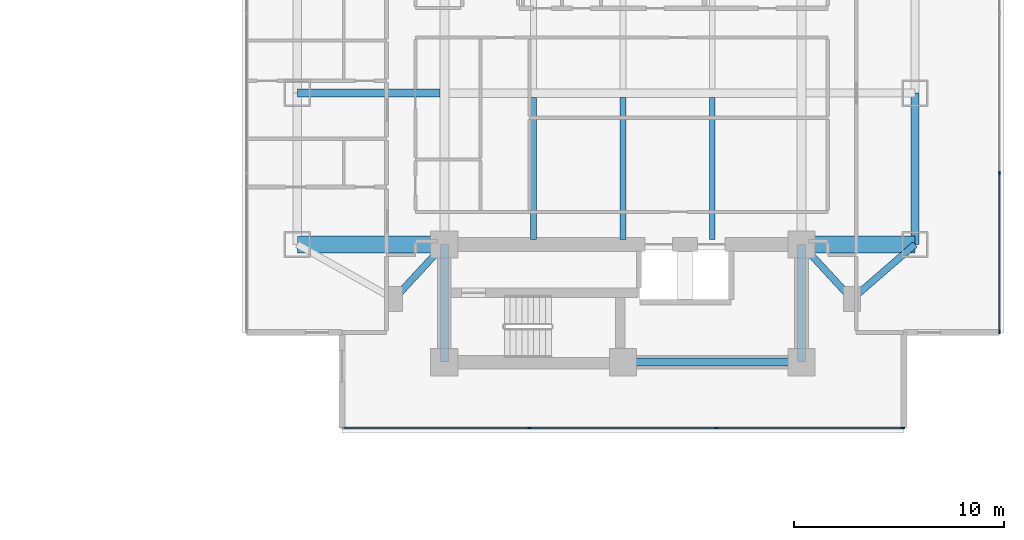
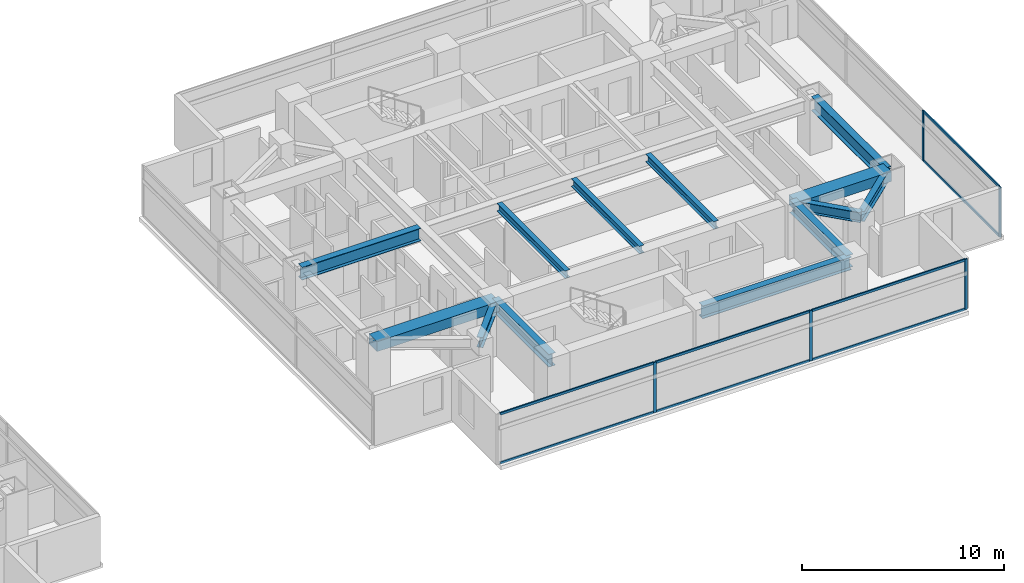
# One storey, part 9 of 25: 13 beams, 13 members, 2 elements without a shape of their own.
"""IFC4 building model written with IfcOpenShell, lengths in metres."""

from ifc_helpers import new_model, si_unit, direction, frame, origin, origin_2d, place, context, subcontext, project, spatial, rectangle, i_section, extrude, material, material_profile, profile_set, type_object, element, aggregate, save


model = new_model("IFC4")

# Units and contexts
model_context = context("Model", 3, precision=1e-05, world=origin(), true_north=direction((0.0, 1.0)))
body_context = subcontext(model_context, "Body", "Model", "MODEL_VIEW")
ifc_project = project(units=[si_unit("LENGTHUNIT", "METRE"), si_unit("AREAUNIT", "SQUARE_METRE"), si_unit("VOLUMEUNIT", "CUBIC_METRE"), si_unit("PLANEANGLEUNIT", "RADIAN"), si_unit("MASSUNIT", "GRAM", prefix="KILO")], contexts=[model_context])

# Site, building, storey
site_placement = place(None, origin())
site = spatial("IfcSite", under=ifc_project, at=site_placement, CompositionType="ELEMENT")
building_placement = place(site_placement, origin())
building = spatial("IfcBuilding", under=site, at=building_placement, Name="Mirazonda Arch Towers", CompositionType="ELEMENT")
storey_placement = place(building_placement, frame((0.0, 0.0, 58.699951171875)))
storey = spatial("IfcBuildingStorey", under=building, at=storey_placement, Name="L16", CompositionType="ELEMENT", Elevation=58.699951171875)

# Beams
ifc_material_1 = material(Name="Steel ASTM A992 Grade 50", Category="steel")
ifc_material_profile_1 = material_profile(ifc_material_1, i_section(OverallWidth=0.39990234375, OverallDepth=0.85595703125, WebThickness=0.018310546875, FlangeThickness=0.029296875, at=origin_2d()), Name="W33X201")
ifc_profile_set_1 = profile_set([ifc_material_profile_1], Name="Steel ASTM A992 Grade 50")
beam_type_1 = type_object("IfcBeamType", Name="BM-EXT-W33X201", PredefinedType="USERDEFINED", material=ifc_profile_set_1)
beam_1_placement = place(storey_placement, frame((90.39990234375, 20.800048828125, 2.632080078125), z_axis=(0.0, 1.0, 0.0), x_axis=(-1.0, 0.0, 0.0)))
element("IfcBeam", 1, at=beam_1_placement, inside=storey, type_object=beam_type_1, Name="L16 Floor Beam BM-T2-L16-NS-E-20", ObjectType="GIRDER", PredefinedType="USERDEFINED", context=body_context, shape_type="SweptSolid", body=[
    extrude(i_section(OverallWidth=0.39990234375, OverallDepth=0.85595703125, WebThickness=0.018310546875, FlangeThickness=0.029296875, at=origin_2d()), origin(), (0.0, 0.0, 1.0), 7.199951171875),
])
ifc_material_profile_2 = material_profile(ifc_material_1, i_section(OverallWidth=0.280029296875, OverallDepth=0.462890625, WebThickness=0.0107421875, FlangeThickness=0.017333984375, at=origin_2d()), Name="W18X76")
ifc_profile_set_2 = profile_set([ifc_material_profile_2], Name="Steel ASTM A992 Grade 50")
beam_type_2 = type_object("IfcBeamType", Name="BM-INT-W18X76", PredefinedType="JOIST", material=ifc_profile_set_2)
for number, where, z_axis, x_axis, name in (
    (2, (72.25, 21.0400390625, 2.82861328125), (0.0, 1.0, 0.0), (-1.0, 0.0, 0.0), "L16 Floor Beam BM-T2-L16-J-722-20"),
    (3, (76.5, 21.0400390625, 2.82861328125), (0.0, 1.0, 0.0), (-1.0, 0.0, 0.0), "L16 Floor Beam BM-T2-L16-J-765-20"),
    (4, (80.75, 21.0400390625, 2.82861328125), (0.0, 1.0, 0.0), (-1.0, 0.0, 0.0), "L16 Floor Beam BM-T2-L16-J-807-20"),
):
    element("IfcBeam", number, at=place(storey_placement, frame(where, z_axis=z_axis, x_axis=x_axis)), inside=storey, type_object=beam_type_2, Name=name, PredefinedType="JOIST", context=body_context, shape_type="SweptSolid", body=[
        extrude(i_section(OverallWidth=0.280029296875, OverallDepth=0.462890625, WebThickness=0.0107421875, FlangeThickness=0.017333984375, at=origin_2d()), origin(), (0.0, 0.0, 1.0), 6.7548828125),
    ])
ifc_material_profile_3 = material_profile(ifc_material_1, i_section(OverallWidth=0.324951171875, OverallDepth=0.615966796875, WebThickness=0.013916015625, FlangeThickness=0.021484375, at=origin_2d()), Name="W24X117")
ifc_profile_set_3 = profile_set([ifc_material_profile_3], Name="Steel ASTM A992 Grade 50")
beam_type_3 = type_object("IfcBeamType", Name="BM-INT-W24X117", PredefinedType="BEAM", material=ifc_profile_set_3)
for number, where, z_axis, x_axis, name in (
    (5, (65.60009765625, 18.199951171875, 2.751953125), (0.678251444854, 0.734829897019, 0.0), (-0.734829897019, 0.678251444854, 0.0), "L16 Floor Beam BM-T2-L16-PL-SW1"),
    (6, (87.39990234375, 18.199951171875, 2.751953125), (-0.678251444854, 0.734829897019, 0.0), (-0.734829897019, -0.678251444854, 0.0), "L16 Floor Beam BM-T2-L16-PL-SE1"),
):
    element("IfcBeam", number, at=place(storey_placement, frame(where, z_axis=z_axis, x_axis=x_axis)), inside=storey, type_object=beam_type_3, Name=name, PredefinedType="BEAM", context=body_context, shape_type="SweptSolid", body=[
        extrude(i_section(OverallWidth=0.324951171875, OverallDepth=0.615966796875, WebThickness=0.013916015625, FlangeThickness=0.021484375, at=origin_2d()), origin(), (0.0, 0.0, 1.0), 3.538330078125),
    ])
beam_2_placement = place(storey_placement, frame((87.39990234375, 18.199951171875, 2.751953125), z_axis=(0.755676908098, 0.654944585876, 0.0), x_axis=(-0.654944585876, 0.755676908098, 0.0)))
element("IfcBeam", 7, at=beam_2_placement, inside=storey, type_object=beam_type_3, Name="L16 Floor Beam BM-T2-L16-PL-SE2", PredefinedType="BEAM", context=body_context, shape_type="SweptSolid", body=[
    extrude(i_section(OverallWidth=0.324951171875, OverallDepth=0.615966796875, WebThickness=0.013916015625, FlangeThickness=0.021484375, at=origin_2d()), origin(), (0.0, 0.0, 1.0), 3.969970703125),
])
ifc_material_profile_4 = material_profile(ifc_material_1, i_section(OverallWidth=0.381103515625, OverallDepth=0.77294921875, WebThickness=0.0166015625, FlangeThickness=0.027099609375, at=origin_2d()), Name="W30X173")
ifc_profile_set_4 = profile_set([ifc_material_profile_4], Name="Steel ASTM A992 Grade 50")
beam_type_4 = type_object("IfcBeamType", Name="BM-INT-W30X173", PredefinedType="USERDEFINED", material=ifc_profile_set_4)
beam_3_placement = place(storey_placement, frame((76.5, 15.199951171875, 2.673583984375), z_axis=(1.0, 0.0, 0.0), x_axis=(0.0, 1.0, 0.0)))
element("IfcBeam", 8, at=beam_3_placement, inside=storey, type_object=beam_type_4, Name="L16 Floor Beam BM-T2-L16-CS2", ObjectType="GIRDER", PredefinedType="USERDEFINED", context=body_context, shape_type="SweptSolid", body=[
    extrude(i_section(OverallWidth=0.381103515625, OverallDepth=0.77294921875, WebThickness=0.0166015625, FlangeThickness=0.027099609375, at=origin_2d()), origin(), (0.0, 0.0, 1.0), 8.5),
])
for number, where, z_axis, x_axis, name in (
    (9, (68.0, 15.199951171875, 2.673583984375), (0.0, 1.0, 0.0), (-1.0, 0.0, 0.0), "L16 Floor Beam BM-T2-L16-CSW"),
    (10, (85.0, 15.199951171875, 2.673583984375), (0.0, 1.0, 0.0), (-1.0, 0.0, 0.0), "L16 Floor Beam BM-T2-L16-CSE"),
):
    element("IfcBeam", number, at=place(storey_placement, frame(where, z_axis=z_axis, x_axis=x_axis)), inside=storey, type_object=beam_type_4, Name=name, ObjectType="GIRDER", PredefinedType="USERDEFINED", context=body_context, shape_type="SweptSolid", body=[
        extrude(i_section(OverallWidth=0.381103515625, OverallDepth=0.77294921875, WebThickness=0.0166015625, FlangeThickness=0.027099609375, at=origin_2d()), origin(), (0.0, 0.0, 1.0), 5.60009765625),
    ])
beam_4_placement = place(storey_placement, frame((61.0, 28.0, 2.673583984375), z_axis=(1.0, 0.0, 0.0), x_axis=(0.0, 1.0, 0.0)))
element("IfcBeam", 11, at=beam_4_placement, inside=storey, type_object=beam_type_4, Name="L16 Floor Beam BM-T2-L16-GW2", ObjectType="GIRDER", PredefinedType="USERDEFINED", context=body_context, shape_type="SweptSolid", body=[
    extrude(i_section(OverallWidth=0.381103515625, OverallDepth=0.77294921875, WebThickness=0.0166015625, FlangeThickness=0.027099609375, at=origin_2d()), origin(), (0.0, 0.0, 1.0), 6.791015625),
])
ifc_material_2 = material(Name="Concrete C60/75", Category="concrete")
ifc_material_profile_5 = material_profile(ifc_material_2, rectangle(XDim=0.800048828125, YDim=0.60009765625, at=origin_2d()), Name="RCCB800x600")
ifc_profile_set_5 = profile_set([ifc_material_profile_5], Name="Concrete C60/75")
beam_type_5 = type_object("IfcBeamType", Name="CB-INT-RCCB800x600", PredefinedType="SPANDREL", material=ifc_profile_set_5)
beam_5_placement = place(storey_placement, frame((61.0, 20.800048828125, 2.760009765625), z_axis=(1.0, 0.0, 0.0), x_axis=(0.0, 1.0, 0.0)))
element("IfcBeam", 12, at=beam_5_placement, inside=storey, type_object=beam_type_5, Name="L16 Floor Beam CBC-T2-L16-SW", PredefinedType="SPANDREL", context=body_context, shape_type="SweptSolid", body=[
    extrude(rectangle(XDim=0.800048828125, YDim=0.60009765625, at=origin_2d()), origin(), (0.0, 0.0, 1.0), 7.0),
])
beam_6_placement = place(storey_placement, frame((85.0, 20.800048828125, 2.760009765625), z_axis=(1.0, 0.0, 0.0), x_axis=(0.0, 1.0, 0.0)))
element("IfcBeam", 13, at=beam_6_placement, inside=storey, type_object=beam_type_5, Name="L16 Floor Beam CBC-T2-L16-SE", PredefinedType="SPANDREL", context=body_context, shape_type="SweptSolid", body=[
    extrude(rectangle(XDim=0.800048828125, YDim=0.60009765625, at=origin_2d()), origin(), (0.0, 0.0, 1.0), 5.39990234375),
])

# Curtain wall, members
ifc_material_3 = material(Name="Anodised Aluminium and Low-E Glass", Category="aluminium")
curtain_wall_type = type_object("IfcCurtainWallType", Name="CW-HTL-UNIT", PredefinedType="NOTDEFINED", material=ifc_material_3)
curtain_wall_1_placement = place(storey_placement, origin())
curtain_wall_1 = element("IfcCurtainWall", 14, at=curtain_wall_1_placement, inside=storey, type_object=curtain_wall_type, Name="L16 T2 S Facade CW-L16-T2-S", PredefinedType="NOTDEFINED")
ifc_material_4 = material(Name="Anodised Aluminium Alloy", Category="aluminium")
ifc_material_profile_6 = material_profile(ifc_material_4, rectangle(XDim=0.074951171875, YDim=0.1650390625, at=origin_2d()), Name="ALU-MULL-75x165")
ifc_profile_set_6 = profile_set([ifc_material_profile_6], Name="Anodised Aluminium Alloy")
member_type_1 = type_object("IfcMemberType", Name="MULL-CW-HTL-UNIT", PredefinedType="MULLION", material=ifc_profile_set_6)
member_1_placement = place(storey_placement, frame((89.83251953125, 12.057373046875, 0.0), z_axis=(0.0, 0.0, 1.0), x_axis=(0.0, -1.0, 0.0)))
member_1 = element("IfcMember", 15, at=member_1_placement, type_object=member_type_1, Name="CW-112 mullion 1", PredefinedType="MULLION", context=body_context, shape_type="SweptSolid", body=[
    extrude(rectangle(XDim=0.074951171875, YDim=0.1650390625, at=origin_2d()), origin(), (0.0, 0.0, 1.0), 3.0400390625),
])
member_2_placement = place(storey_placement, frame((80.956787109375, 12.057373046875, 0.0), z_axis=(0.0, 0.0, 1.0), x_axis=(0.0, -1.0, 0.0)))
member_2 = element("IfcMember", 16, at=member_2_placement, type_object=member_type_1, Name="CW-112 mullion 2", PredefinedType="MULLION", context=body_context, shape_type="SweptSolid", body=[
    extrude(rectangle(XDim=0.074951171875, YDim=0.1650390625, at=origin_2d()), origin(), (0.0, 0.0, 1.0), 3.0400390625),
])
member_3_placement = place(storey_placement, frame((72.043212890625, 12.057373046875, 0.0), z_axis=(0.0, 0.0, 1.0), x_axis=(0.0, -1.0, 0.0)))
member_3 = element("IfcMember", 17, at=member_3_placement, type_object=member_type_1, Name="CW-112 mullion 3", PredefinedType="MULLION", context=body_context, shape_type="SweptSolid", body=[
    extrude(rectangle(XDim=0.074951171875, YDim=0.1650390625, at=origin_2d()), origin(), (0.0, 0.0, 1.0), 3.0400390625),
])

curtain_wall_2_placement = place(storey_placement, origin())
curtain_wall_2 = element("IfcCurtainWall", 18, at=curtain_wall_2_placement, inside=storey, type_object=curtain_wall_type, Name="L16 T2 E Facade CW-L16-T2-E", PredefinedType="NOTDEFINED")
member_4_placement = place(storey_placement, frame((94.416015625, 16.640869140625, 0.0), z_axis=(0.0, 0.0, 1.0), x_axis=(-1.0, 0.0, 0.0)))
member_4 = element("IfcMember", 19, at=member_4_placement, type_object=member_type_1, Name="CW-112 mullion 1", PredefinedType="MULLION", context=body_context, shape_type="SweptSolid", body=[
    extrude(rectangle(XDim=0.074951171875, YDim=0.1650390625, at=origin_2d()), origin(), (0.0, 0.0, 1.0), 3.0400390625),
])
member_5_placement = place(storey_placement, frame((94.416015625, 24.201171875, 0.0), z_axis=(0.0, 0.0, 1.0), x_axis=(-1.0, 0.0, 0.0)))
member_5 = element("IfcMember", 20, at=member_5_placement, type_object=member_type_1, Name="CW-112 mullion 2", PredefinedType="MULLION", context=body_context, shape_type="SweptSolid", body=[
    extrude(rectangle(XDim=0.074951171875, YDim=0.1650390625, at=origin_2d()), origin(), (0.0, 0.0, 1.0), 3.0400390625),
])

# Member
ifc_material_profile_7 = material_profile(ifc_material_4, rectangle(XDim=0.074951171875, YDim=0.14501953125, at=origin_2d()), Name="ALU-TRAN-75x145")
ifc_profile_set_7 = profile_set([ifc_material_profile_7], Name="Anodised Aluminium Alloy")
member_type_2 = type_object("IfcMemberType", Name="TRAN-CW-HTL-UNIT", PredefinedType="USERDEFINED", material=ifc_profile_set_7)
member_6_placement = place(storey_placement, frame((89.794921875, 12.057373046875, 0.03759765625), z_axis=(-1.0, 0.0, 0.0), x_axis=(0.0, -1.0, 0.0)))
member_6 = element("IfcMember", 21, at=member_6_placement, type_object=member_type_2, Name="CW-112 transom 1.1", ObjectType="TRANSOM", PredefinedType="USERDEFINED", context=body_context, shape_type="SweptSolid", body=[
    extrude(rectangle(XDim=0.074951171875, YDim=0.14501953125, at=origin_2d()), origin(), (0.0, 0.0, 1.0), 8.80078125),
])

member_7_placement = place(storey_placement, frame((89.794921875, 12.057373046875, 3.00244140625), z_axis=(-1.0, 0.0, 0.0), x_axis=(0.0, -1.0, 0.0)))
member_7 = element("IfcMember", 22, at=member_7_placement, type_object=member_type_2, Name="CW-112 transom 1.2", ObjectType="TRANSOM", PredefinedType="USERDEFINED", context=body_context, shape_type="SweptSolid", body=[
    extrude(rectangle(XDim=0.074951171875, YDim=0.14501953125, at=origin_2d()), origin(), (0.0, 0.0, 1.0), 8.80078125),
])

member_8_placement = place(storey_placement, frame((80.919189453125, 12.057373046875, 0.03759765625), z_axis=(-1.0, 0.0, 0.0), x_axis=(0.0, -1.0, 0.0)))
member_8 = element("IfcMember", 23, at=member_8_placement, type_object=member_type_2, Name="CW-112 transom 2.1", ObjectType="TRANSOM", PredefinedType="USERDEFINED", context=body_context, shape_type="SweptSolid", body=[
    extrude(rectangle(XDim=0.074951171875, YDim=0.14501953125, at=origin_2d()), origin(), (0.0, 0.0, 1.0), 8.83837890625),
])

member_9_placement = place(storey_placement, frame((80.919189453125, 12.057373046875, 3.00244140625), z_axis=(-1.0, 0.0, 0.0), x_axis=(0.0, -1.0, 0.0)))
member_9 = element("IfcMember", 24, at=member_9_placement, type_object=member_type_2, Name="CW-112 transom 2.2", ObjectType="TRANSOM", PredefinedType="USERDEFINED", context=body_context, shape_type="SweptSolid", body=[
    extrude(rectangle(XDim=0.074951171875, YDim=0.14501953125, at=origin_2d()), origin(), (0.0, 0.0, 1.0), 8.83837890625),
])

member_10_placement = place(storey_placement, frame((72.005859375, 12.057373046875, 0.03759765625), z_axis=(-1.0, 0.0, 0.0), x_axis=(0.0, -1.0, 0.0)))
member_10 = element("IfcMember", 25, at=member_10_placement, type_object=member_type_2, Name="CW-112 transom 3.1", ObjectType="TRANSOM", PredefinedType="USERDEFINED", context=body_context, shape_type="SweptSolid", body=[
    extrude(rectangle(XDim=0.074951171875, YDim=0.14501953125, at=origin_2d()), origin(), (0.0, 0.0, 1.0), 8.80078125),
])

member_11_placement = place(storey_placement, frame((72.005859375, 12.057373046875, 3.00244140625), z_axis=(-1.0, 0.0, 0.0), x_axis=(0.0, -1.0, 0.0)))
member_11 = element("IfcMember", 26, at=member_11_placement, type_object=member_type_2, Name="CW-112 transom 3.2", ObjectType="TRANSOM", PredefinedType="USERDEFINED", context=body_context, shape_type="SweptSolid", body=[
    extrude(rectangle(XDim=0.074951171875, YDim=0.14501953125, at=origin_2d()), origin(), (0.0, 0.0, 1.0), 8.80078125),
])

aggregate(curtain_wall_1, [member_1, member_2, member_3, member_6, member_7, member_8, member_9, member_10, member_11])

member_12_placement = place(storey_placement, frame((94.416015625, 16.678466796875, 0.03759765625), z_axis=(0.0, 1.0, 0.0), x_axis=(-1.0, 0.0, 0.0)))
member_12 = element("IfcMember", 27, at=member_12_placement, type_object=member_type_2, Name="CW-112 transom 1.1", ObjectType="TRANSOM", PredefinedType="USERDEFINED", context=body_context, shape_type="SweptSolid", body=[
    extrude(rectangle(XDim=0.074951171875, YDim=0.14501953125, at=origin_2d()), origin(), (0.0, 0.0, 1.0), 7.485107421875),
])

member_13_placement = place(storey_placement, frame((94.416015625, 16.678466796875, 3.00244140625), z_axis=(0.0, 1.0, 0.0), x_axis=(-1.0, 0.0, 0.0)))
member_13 = element("IfcMember", 28, at=member_13_placement, type_object=member_type_2, Name="CW-112 transom 1.2", ObjectType="TRANSOM", PredefinedType="USERDEFINED", context=body_context, shape_type="SweptSolid", body=[
    extrude(rectangle(XDim=0.074951171875, YDim=0.14501953125, at=origin_2d()), origin(), (0.0, 0.0, 1.0), 7.485107421875),
])

aggregate(curtain_wall_2, [member_4, member_5, member_12, member_13])

save(model, "model.ifc")
